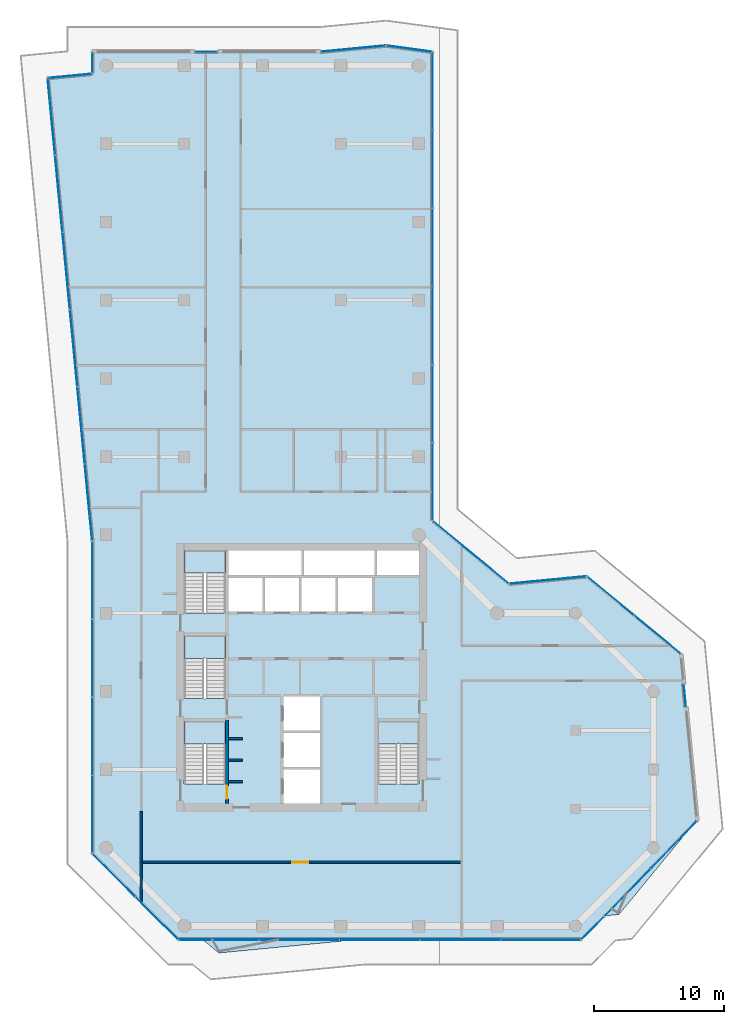
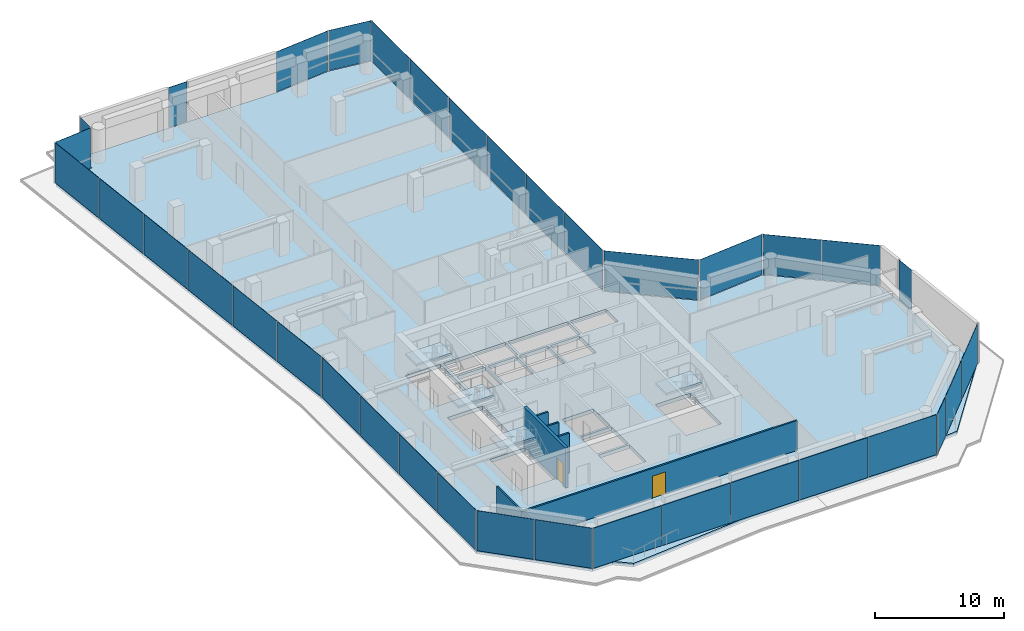
# One storey, part 17 of 22: 36 plates, 7 walls, 5 slabs, 2 doors, 2 openings, 20 elements without a shape of their own.
"""IFC4 building model written with IfcOpenShell, lengths in metres."""

from ifc_helpers import new_model, si_unit, direction, frame, frame_2d, origin, origin_2d, place, context, subcontext, project, spatial, polyline, rectangle, outline, extrude, material, layer, layer_set, type_object, element, fill, aggregate, save


model = new_model("IFC4")

# Units and contexts
model_context = context("Model", 3, precision=1e-05, world=origin(), true_north=direction((0.0, 1.0)))
body_context = subcontext(model_context, "Body", "Model", "MODEL_VIEW")
ifc_project = project(units=[si_unit("LENGTHUNIT", "METRE"), si_unit("AREAUNIT", "SQUARE_METRE"), si_unit("VOLUMEUNIT", "CUBIC_METRE"), si_unit("PLANEANGLEUNIT", "RADIAN"), si_unit("MASSUNIT", "GRAM", prefix="KILO")], contexts=[model_context])

# Site, building, storey
site_placement = place(None, origin())
site = spatial("IfcSite", under=ifc_project, at=site_placement, CompositionType="ELEMENT")
building_placement = place(site_placement, origin())
building = spatial("IfcBuilding", under=site, at=building_placement, Name="Welwitschia Terrace Campus", CompositionType="ELEMENT")
storey_placement = place(building_placement, frame((0.0, 0.0, 192.800048828125)))
storey = spatial("IfcBuildingStorey", under=building, at=storey_placement, Name="L43", CompositionType="ELEMENT", Elevation=192.800048828125)

# Curtain wall, plates
ifc_material_1 = material(Name="Bronze anodised aluminium", Category="aluminium")
ifc_layer_1 = layer(ifc_material_1, 0.1201171875)
ifc_layer_set_1 = layer_set([ifc_layer_1], Name="Bronze anodised aluminium")
curtain_wall_type = type_object("IfcCurtainWallType", Name="Curtain wall CW2 tower 6000", PredefinedType="NOTDEFINED", material=ifc_layer_set_1)
curtain_wall_1_placement = place(storey_placement, origin())
curtain_wall_1 = element("IfcCurtainWall", 1, at=curtain_wall_1_placement, inside=storey, type_object=curtain_wall_type, Name="CW L43.0.0", PredefinedType="NOTDEFINED")
ifc_material_2 = material(Name="Tinted bronze-grey glass", Category="glass")
ifc_layer_2 = layer(ifc_material_2, 0.028076171875)
ifc_layer_set_2 = layer_set([ifc_layer_2], Name="Tinted bronze-grey glass")
plate_type_1 = type_object("IfcPlateType", Name="Glass panel 28 tinted", PredefinedType="CURTAIN_PANEL", material=ifc_layer_set_2)
plate_1_placement = place(storey_placement, frame((-4.191650390625, 58.0673828125, 0.0), z_axis=(0.0, 0.0, 1.0), x_axis=(0.09584575252, -0.995396198367, 0.0)))
plate_1 = element("IfcPlate", 2, at=plate_1_placement, type_object=plate_type_1, Name="Panel L43.0.0.0", PredefinedType="CURTAIN_PANEL", context=body_context, shape_type="SweptSolid", body=[
    extrude(rectangle(XDim=5.857177734375, YDim=0.028076171875, at=origin_2d()), origin(), (0.0, 0.0, 1.0), 3.800048828125),
])
plate_2_placement = place(storey_placement, frame((-3.623046875, 52.16259765625, 0.0), z_axis=(0.0, 0.0, 1.0), x_axis=(0.09584575252, -0.995396198367, 0.0)))
plate_2 = element("IfcPlate", 3, at=plate_2_placement, type_object=plate_type_1, Name="Panel L43.0.0.1", PredefinedType="CURTAIN_PANEL", context=body_context, shape_type="SweptSolid", body=[
    extrude(rectangle(XDim=5.88720703125, YDim=0.028076171875, at=origin_2d()), origin(), (0.0, 0.0, 1.0), 3.800048828125),
])
plate_3_placement = place(storey_placement, frame((-3.052978515625, 46.242919921875, 0.0), z_axis=(0.0, 0.0, 1.0), x_axis=(0.09584575252, -0.995396198367, 0.0)))
plate_3 = element("IfcPlate", 4, at=plate_3_placement, type_object=plate_type_1, Name="Panel L43.0.0.2", PredefinedType="CURTAIN_PANEL", context=body_context, shape_type="SweptSolid", body=[
    extrude(rectangle(XDim=5.88720703125, YDim=0.028076171875, at=origin_2d()), origin(), (0.0, 0.0, 1.0), 3.800048828125),
])
plate_4_placement = place(storey_placement, frame((-2.48291015625, 40.322998046875, 0.0), z_axis=(0.0, 0.0, 1.0), x_axis=(0.09584575252, -0.995396198367, 0.0)))
plate_4 = element("IfcPlate", 5, at=plate_4_placement, type_object=plate_type_1, Name="Panel L43.0.0.3", PredefinedType="CURTAIN_PANEL", context=body_context, shape_type="SweptSolid", body=[
    extrude(rectangle(XDim=5.88720703125, YDim=0.028076171875, at=origin_2d()), origin(), (0.0, 0.0, 1.0), 3.800048828125),
])
plate_5_placement = place(storey_placement, frame((-1.9130859375, 34.4033203125, 0.0), z_axis=(0.0, 0.0, 1.0), x_axis=(0.09584575252, -0.995396198367, 0.0)))
plate_5 = element("IfcPlate", 6, at=plate_5_placement, type_object=plate_type_1, Name="Panel L43.0.0.4", PredefinedType="CURTAIN_PANEL", context=body_context, shape_type="SweptSolid", body=[
    extrude(rectangle(XDim=5.88720703125, YDim=0.028076171875, at=origin_2d()), origin(), (0.0, 0.0, 1.0), 3.800048828125),
])
plate_6_placement = place(storey_placement, frame((-1.344482421875, 28.498291015625, 0.0), z_axis=(0.0, 0.0, 1.0), x_axis=(0.09584575252, -0.995396198367, 0.0)))
plate_6 = element("IfcPlate", 7, at=plate_6_placement, type_object=plate_type_1, Name="Panel L43.0.0.5", PredefinedType="CURTAIN_PANEL", context=body_context, shape_type="SweptSolid", body=[
    extrude(rectangle(XDim=5.857177734375, YDim=0.028076171875, at=origin_2d()), origin(), (0.0, 0.0, 1.0), 3.800048828125),
])
aggregate(curtain_wall_1, [plate_1, plate_2, plate_3, plate_4, plate_5, plate_6])

curtain_wall_2_placement = place(storey_placement, origin())
curtain_wall_2 = element("IfcCurtainWall", 8, at=curtain_wall_2_placement, inside=storey, type_object=curtain_wall_type, Name="CW L43.1.0", PredefinedType="NOTDEFINED")
plate_7_placement = place(storey_placement, frame((-1.05810546875, 22.51318359375, 0.0), z_axis=(0.0, 0.0, 1.0), x_axis=(0.0, -1.0, 0.0)))
plate_7 = element("IfcPlate", 9, at=plate_7_placement, type_object=plate_type_1, Name="Panel L43.1.0.0", PredefinedType="CURTAIN_PANEL", context=body_context, shape_type="SweptSolid", body=[
    extrude(rectangle(XDim=5.900390625, YDim=0.028076171875, at=origin_2d()), origin(), (0.0, 0.0, 1.0), 3.800048828125),
])
plate_8_placement = place(storey_placement, frame((-1.05810546875, 16.537841796875, 0.0), z_axis=(0.0, 0.0, 1.0), x_axis=(0.0, -1.0, 0.0)))
plate_8 = element("IfcPlate", 10, at=plate_8_placement, type_object=plate_type_1, Name="Panel L43.1.0.1", PredefinedType="CURTAIN_PANEL", context=body_context, shape_type="SweptSolid", body=[
    extrude(rectangle(XDim=5.930419921875, YDim=0.028076171875, at=origin_2d()), origin(), (0.0, 0.0, 1.0), 3.800048828125),
])
plate_9_placement = place(storey_placement, frame((-1.05810546875, 10.54736328125, 0.0), z_axis=(0.0, 0.0, 1.0), x_axis=(0.0, -1.0, 0.0)))
plate_9 = element("IfcPlate", 11, at=plate_9_placement, type_object=plate_type_1, Name="Panel L43.1.0.2", PredefinedType="CURTAIN_PANEL", context=body_context, shape_type="SweptSolid", body=[
    extrude(rectangle(XDim=5.930419921875, YDim=0.028076171875, at=origin_2d()), origin(), (0.0, 0.0, 1.0), 3.800048828125),
])
plate_10_placement = place(storey_placement, frame((-1.05810546875, 4.572021484375, 0.0), z_axis=(0.0, 0.0, 1.0), x_axis=(0.0, -1.0, 0.0)))
plate_10 = element("IfcPlate", 12, at=plate_10_placement, type_object=plate_type_1, Name="Panel L43.1.0.3", PredefinedType="CURTAIN_PANEL", context=body_context, shape_type="SweptSolid", body=[
    extrude(rectangle(XDim=5.900390625, YDim=0.028076171875, at=origin_2d()), origin(), (0.0, 0.0, 1.0), 3.800048828125),
])
aggregate(curtain_wall_2, [plate_7, plate_8, plate_9, plate_10])

curtain_wall_3_placement = place(storey_placement, origin())
curtain_wall_3 = element("IfcCurtainWall", 13, at=curtain_wall_3_placement, inside=storey, type_object=curtain_wall_type, Name="CW L43.2.0", PredefinedType="NOTDEFINED")
plate_11_placement = place(storey_placement, frame((0.607666015625, -0.103759765625, 0.0), z_axis=(0.0, 0.0, 1.0), x_axis=(0.707106781187, -0.707106781187, 0.0)))
plate_11 = element("IfcPlate", 14, at=plate_11_placement, type_object=plate_type_1, Name="Panel L43.2.0.0", PredefinedType="CURTAIN_PANEL", context=body_context, shape_type="SweptSolid", body=[
    extrude(rectangle(XDim=4.5908203125, YDim=0.028076171875, at=origin_2d()), origin(), (0.0, 0.0, 1.0), 3.800048828125),
])
plate_12_placement = place(storey_placement, frame((3.896240234375, -3.392333984375, 0.0), z_axis=(0.0, 0.0, 1.0), x_axis=(0.707106781187, -0.707106781187, 0.0)))
plate_12 = element("IfcPlate", 15, at=plate_12_placement, type_object=plate_type_1, Name="Panel L43.2.0.1", PredefinedType="CURTAIN_PANEL", context=body_context, shape_type="SweptSolid", body=[
    extrude(rectangle(XDim=4.5908203125, YDim=0.028076171875, at=origin_2d()), origin(), (0.0, 0.0, 1.0), 3.800048828125),
])
aggregate(curtain_wall_3, [plate_11, plate_12])

# Curtain wall, plate
curtain_wall_4_placement = place(storey_placement, origin())
curtain_wall_4 = element("IfcCurtainWall", 16, at=curtain_wall_4_placement, inside=storey, type_object=curtain_wall_type, Name="CW L43.3.0", PredefinedType="NOTDEFINED")
plate_13_placement = place(storey_placement, frame((33.335693359375, -5.05810546875, 0.0), z_axis=(0.0, 0.0, 1.0), x_axis=(1.0, 0.0, 0.0)))
plate_13 = element("IfcPlate", 17, at=plate_13_placement, type_object=plate_type_1, Name="Panel L43.3.0.4", PredefinedType="CURTAIN_PANEL", context=body_context, shape_type="SweptSolid", body=[
    extrude(rectangle(XDim=6.085205078125, YDim=0.028076171875, at=origin_2d()), origin(), (0.0, 0.0, 1.0), 3.800048828125),
])

curtain_wall_5_placement = place(storey_placement, origin())
curtain_wall_5 = element("IfcCurtainWall", 18, at=curtain_wall_5_placement, inside=storey, type_object=curtain_wall_type, Name="CW L43.4.0", PredefinedType="NOTDEFINED")
plate_14_placement = place(storey_placement, frame((37.328369140625, -4.167724609375, 0.0), z_axis=(0.0, 0.0, 1.0), x_axis=(0.707106781187, 0.707106781187, 0.0)))
plate_14 = element("IfcPlate", 19, at=plate_14_placement, type_object=plate_type_1, Name="Panel L43.4.0.0", PredefinedType="CURTAIN_PANEL", context=body_context, shape_type="SweptSolid", body=[
    extrude(rectangle(XDim=2.39794921875, YDim=0.028076171875, at=origin_2d()), origin(), (0.0, 0.0, 1.0), 3.800048828125),
])
aggregate(curtain_wall_5, [plate_14])

# Curtain wall, plates
curtain_wall_6_placement = place(storey_placement, origin())
curtain_wall_6 = element("IfcCurtainWall", 20, at=curtain_wall_6_placement, inside=storey, type_object=curtain_wall_type, Name="CW L43.5.0", PredefinedType="NOTDEFINED")
plate_15_placement = place(storey_placement, frame((40.0068359375, -1.432861328125, 0.0), z_axis=(0.0, 0.0, 1.0), x_axis=(0.696019343562, 0.718023031238, 0.0)))
plate_15 = element("IfcPlate", 21, at=plate_15_placement, type_object=plate_type_1, Name="Panel L43.5.0.0", PredefinedType="CURTAIN_PANEL", context=body_context, shape_type="SweptSolid", body=[
    extrude(rectangle(XDim=5.017822265625, YDim=0.028076171875, at=origin_2d()), origin(), (0.0, 0.0, 1.0), 3.800048828125),
])
plate_16_placement = place(storey_placement, frame((43.541015625, 2.212890625, 0.0), z_axis=(0.0, 0.0, 1.0), x_axis=(0.696019343562, 0.718023031238, 0.0)))
plate_16 = element("IfcPlate", 22, at=plate_16_placement, type_object=plate_type_1, Name="Panel L43.5.0.1", PredefinedType="CURTAIN_PANEL", context=body_context, shape_type="SweptSolid", body=[
    extrude(rectangle(XDim=5.017822265625, YDim=0.028076171875, at=origin_2d()), origin(), (0.0, 0.0, 1.0), 3.800048828125),
])
aggregate(curtain_wall_6, [plate_15, plate_16])

# Curtain wall, plate
curtain_wall_7_placement = place(storey_placement, origin())
curtain_wall_7 = element("IfcCurtainWall", 23, at=curtain_wall_7_placement, inside=storey, type_object=curtain_wall_type, Name="CW L43.6.S0", PredefinedType="NOTDEFINED")
plate_17_placement = place(storey_placement, frame((44.4033203125, 13.67041015625, 0.0), z_axis=(0.0, 0.0, 1.0), x_axis=(-0.09584575252, 0.995396198367, 0.0)))
plate_17 = element("IfcPlate", 24, at=plate_17_placement, type_object=plate_type_1, Name="Panel L43.6.S0.0", PredefinedType="CURTAIN_PANEL", context=body_context, shape_type="SweptSolid", body=[
    extrude(rectangle(XDim=1.679931640625, YDim=0.028076171875, at=origin_2d()), origin(), (0.0, 0.0, 1.0), 3.800048828125),
])
aggregate(curtain_wall_7, [plate_17])

# Curtain wall, plates
curtain_wall_8_placement = place(storey_placement, origin())
curtain_wall_8 = element("IfcCurtainWall", 25, at=curtain_wall_8_placement, inside=storey, type_object=curtain_wall_type, Name="CW L43.7.0", PredefinedType="NOTDEFINED")
plate_18_placement = place(storey_placement, frame((42.27734375, 18.373046875, 0.0), z_axis=(0.0, 0.0, 1.0), x_axis=(-0.771624583388, 0.636078220278, 0.0)))
plate_18 = element("IfcPlate", 26, at=plate_18_placement, type_object=plate_type_1, Name="Panel L43.7.0.0", PredefinedType="CURTAIN_PANEL", context=body_context, shape_type="SweptSolid", body=[
    extrude(rectangle(XDim=4.5908203125, YDim=0.028076171875, at=origin_2d()), origin(), (0.0, 0.0, 1.0), 3.800048828125),
])
plate_19_placement = place(storey_placement, frame((38.6884765625, 21.331298828125, 0.0), z_axis=(0.0, 0.0, 1.0), x_axis=(-0.771624583388, 0.636078220278, 0.0)))
plate_19 = element("IfcPlate", 27, at=plate_19_placement, type_object=plate_type_1, Name="Panel L43.7.0.1", PredefinedType="CURTAIN_PANEL", context=body_context, shape_type="SweptSolid", body=[
    extrude(rectangle(XDim=4.5908203125, YDim=0.028076171875, at=origin_2d()), origin(), (0.0, 0.0, 1.0), 3.800048828125),
])
aggregate(curtain_wall_8, [plate_18, plate_19])

# Curtain wall, plate
curtain_wall_9_placement = place(storey_placement, origin())
curtain_wall_9 = element("IfcCurtainWall", 28, at=curtain_wall_9_placement, inside=storey, type_object=curtain_wall_type, Name="CW L43.8.0", PredefinedType="NOTDEFINED")
plate_20_placement = place(storey_placement, frame((33.884765625, 22.5419921875, 0.0), z_axis=(0.0, 0.0, 1.0), x_axis=(-0.995396198367, -0.09584575252, 0.0)))
plate_20 = element("IfcPlate", 29, at=plate_20_placement, type_object=plate_type_1, Name="Panel L43.8.0.0", PredefinedType="CURTAIN_PANEL", context=body_context, shape_type="SweptSolid", body=[
    extrude(rectangle(XDim=5.8798828125, YDim=0.028076171875, at=origin_2d()), origin(), (0.0, 0.0, 1.0), 3.800048828125),
])
aggregate(curtain_wall_9, [plate_20])

curtain_wall_10_placement = place(storey_placement, origin())
curtain_wall_10 = element("IfcCurtainWall", 30, at=curtain_wall_10_placement, inside=storey, type_object=curtain_wall_type, Name="CW L43.9.0", PredefinedType="NOTDEFINED")
plate_21_placement = place(storey_placement, frame((27.978271484375, 24.661865234375, 0.0), z_axis=(0.0, 0.0, 1.0), x_axis=(-0.771624583388, 0.636078220278, 0.0)))
plate_21 = element("IfcPlate", 31, at=plate_21_placement, type_object=plate_type_1, Name="Panel L43.9.0.0", PredefinedType="CURTAIN_PANEL", context=body_context, shape_type="SweptSolid", body=[
    extrude(rectangle(XDim=7.44921875, YDim=0.028076171875, at=origin_2d()), origin(), (0.0, 0.0, 1.0), 3.800048828125),
])
aggregate(curtain_wall_10, [plate_21])

# Curtain wall, plates
curtain_wall_11_placement = place(storey_placement, origin())
curtain_wall_11 = element("IfcCurtainWall", 32, at=curtain_wall_11_placement, inside=storey, type_object=curtain_wall_type, Name="CW L43.10.0", PredefinedType="NOTDEFINED")
plate_22_placement = place(storey_placement, frame((25.05810546875, 30.08251953125, 0.0), z_axis=(0.0, 0.0, 1.0), x_axis=(0.0, 1.0, 0.0)))
plate_22 = element("IfcPlate", 33, at=plate_22_placement, type_object=plate_type_1, Name="Panel L43.10.0.0", PredefinedType="CURTAIN_PANEL", context=body_context, shape_type="SweptSolid", body=[
    extrude(rectangle(XDim=5.906982421875, YDim=0.028076171875, at=origin_2d()), origin(), (0.0, 0.0, 1.0), 3.800048828125),
])
plate_23_placement = place(storey_placement, frame((25.05810546875, 36.064453125, 0.0), z_axis=(0.0, 0.0, 1.0), x_axis=(0.0, 1.0, 0.0)))
plate_23 = element("IfcPlate", 34, at=plate_23_placement, type_object=plate_type_1, Name="Panel L43.10.0.1", PredefinedType="CURTAIN_PANEL", context=body_context, shape_type="SweptSolid", body=[
    extrude(rectangle(XDim=5.93701171875, YDim=0.028076171875, at=origin_2d()), origin(), (0.0, 0.0, 1.0), 3.800048828125),
])
plate_24_placement = place(storey_placement, frame((25.05810546875, 42.0615234375, 0.0), z_axis=(0.0, 0.0, 1.0), x_axis=(0.0, 1.0, 0.0)))
plate_24 = element("IfcPlate", 35, at=plate_24_placement, type_object=plate_type_1, Name="Panel L43.10.0.2", PredefinedType="CURTAIN_PANEL", context=body_context, shape_type="SweptSolid", body=[
    extrude(rectangle(XDim=5.93701171875, YDim=0.028076171875, at=origin_2d()), origin(), (0.0, 0.0, 1.0), 3.800048828125),
])
plate_25_placement = place(storey_placement, frame((25.05810546875, 48.058349609375, 0.0), z_axis=(0.0, 0.0, 1.0), x_axis=(0.0, 1.0, 0.0)))
plate_25 = element("IfcPlate", 36, at=plate_25_placement, type_object=plate_type_1, Name="Panel L43.10.0.3", PredefinedType="CURTAIN_PANEL", context=body_context, shape_type="SweptSolid", body=[
    extrude(rectangle(XDim=5.93701171875, YDim=0.028076171875, at=origin_2d()), origin(), (0.0, 0.0, 1.0), 3.800048828125),
])
plate_26_placement = place(storey_placement, frame((25.05810546875, 54.05517578125, 0.0), z_axis=(0.0, 0.0, 1.0), x_axis=(0.0, 1.0, 0.0)))
plate_26 = element("IfcPlate", 37, at=plate_26_placement, type_object=plate_type_1, Name="Panel L43.10.0.4", PredefinedType="CURTAIN_PANEL", context=body_context, shape_type="SweptSolid", body=[
    extrude(rectangle(XDim=5.93701171875, YDim=0.028076171875, at=origin_2d()), origin(), (0.0, 0.0, 1.0), 3.800048828125),
])
plate_27_placement = place(storey_placement, frame((25.05810546875, 60.037109375, 0.0), z_axis=(0.0, 0.0, 1.0), x_axis=(0.0, 1.0, 0.0)))
plate_27 = element("IfcPlate", 38, at=plate_27_placement, type_object=plate_type_1, Name="Panel L43.10.0.5", PredefinedType="CURTAIN_PANEL", context=body_context, shape_type="SweptSolid", body=[
    extrude(rectangle(XDim=5.906982421875, YDim=0.028076171875, at=origin_2d()), origin(), (0.0, 0.0, 1.0), 3.800048828125),
])
aggregate(curtain_wall_11, [plate_22, plate_23, plate_24, plate_25, plate_26, plate_27])

# Curtain wall, plate
curtain_wall_12_placement = place(storey_placement, origin())
curtain_wall_12 = element("IfcCurtainWall", 39, at=curtain_wall_12_placement, inside=storey, type_object=curtain_wall_type, Name="CW L43.11.0", PredefinedType="NOTDEFINED")
plate_28_placement = place(storey_placement, frame((23.262451171875, 63.295654296875, 0.0), z_axis=(0.0, 0.0, 1.0), x_axis=(-0.990824442775, 0.135155183395, 0.0)))
plate_28 = element("IfcPlate", 40, at=plate_28_placement, type_object=plate_type_1, Name="Panel L43.11.0.0", PredefinedType="CURTAIN_PANEL", context=body_context, shape_type="SweptSolid", body=[
    extrude(rectangle(XDim=3.504638671875, YDim=0.028076171875, at=origin_2d()), origin(), (0.0, 0.0, 1.0), 3.800048828125),
])
aggregate(curtain_wall_12, [plate_28])

curtain_wall_13_placement = place(storey_placement, origin())
curtain_wall_13 = element("IfcCurtainWall", 41, at=curtain_wall_13_placement, inside=storey, type_object=curtain_wall_type, Name="CW L43.12.0", PredefinedType="NOTDEFINED")
plate_29_placement = place(storey_placement, frame((18.961181640625, 63.29931640625, 0.0), z_axis=(0.0, 0.0, 1.0), x_axis=(-0.995396198367, -0.09584575252, 0.0)))
plate_29 = element("IfcPlate", 42, at=plate_29_placement, type_object=plate_type_1, Name="Panel L43.12.0.0", PredefinedType="CURTAIN_PANEL", context=body_context, shape_type="SweptSolid", body=[
    extrude(rectangle(XDim=4.914306640625, YDim=0.028076171875, at=origin_2d()), origin(), (0.0, 0.0, 1.0), 3.800048828125),
])
aggregate(curtain_wall_13, [plate_29])

curtain_wall_14_placement = place(storey_placement, origin())
curtain_wall_14 = element("IfcCurtainWall", 43, at=curtain_wall_14_placement, inside=storey, type_object=curtain_wall_type, Name="CW L43.13.S0", PredefinedType="NOTDEFINED")
plate_30_placement = place(storey_placement, frame((7.69873046875, 63.05810546875, 0.0), z_axis=(0.0, 0.0, 1.0), x_axis=(-1.0, 0.0, 0.0)))
plate_30 = element("IfcPlate", 44, at=plate_30_placement, type_object=plate_type_1, Name="Panel L43.13.S0.0", PredefinedType="CURTAIN_PANEL", context=body_context, shape_type="SweptSolid", body=[
    extrude(rectangle(XDim=1.679931640625, YDim=0.028076171875, at=origin_2d()), origin(), (0.0, 0.0, 1.0), 3.800048828125),
])
aggregate(curtain_wall_14, [plate_30])

curtain_wall_15_placement = place(storey_placement, origin())
curtain_wall_15 = element("IfcCurtainWall", 45, at=curtain_wall_15_placement, inside=storey, type_object=curtain_wall_type, Name="CW L43.14.0", PredefinedType="NOTDEFINED")
plate_31_placement = place(storey_placement, frame((-1.05810546875, 62.21484375, 0.0), z_axis=(0.0, 0.0, 1.0), x_axis=(0.0, -1.0, 0.0)))
plate_31 = element("IfcPlate", 46, at=plate_31_placement, type_object=plate_type_1, Name="Panel L43.14.0.0", PredefinedType="CURTAIN_PANEL", context=body_context, shape_type="SweptSolid", body=[
    extrude(rectangle(XDim=1.56640625, YDim=0.028076171875, at=origin_2d()), origin(), (0.0, 0.0, 1.0), 3.800048828125),
])
aggregate(curtain_wall_15, [plate_31])

curtain_wall_16_placement = place(storey_placement, origin())
curtain_wall_16 = element("IfcCurtainWall", 47, at=curtain_wall_16_placement, inside=storey, type_object=curtain_wall_type, Name="CW L43.15.0", PredefinedType="NOTDEFINED")
plate_32_placement = place(storey_placement, frame((-2.76806640625, 61.20703125, 0.0), z_axis=(0.0, 0.0, 1.0), x_axis=(-0.995396198367, -0.09584575252, 0.0)))
plate_32 = element("IfcPlate", 48, at=plate_32_placement, type_object=plate_type_1, Name="Panel L43.15.0.0", PredefinedType="CURTAIN_PANEL", context=body_context, shape_type="SweptSolid", body=[
    extrude(rectangle(XDim=3.31591796875, YDim=0.028076171875, at=origin_2d()), origin(), (0.0, 0.0, 1.0), 3.800048828125),
])
aggregate(curtain_wall_16, [plate_32])

# Plate
ifc_material_3 = material(Name="Bronze anodised insulated metal panel")
ifc_layer_3 = layer(ifc_material_3, 0.06005859375)
ifc_layer_set_3 = layer_set([ifc_layer_3], Name="Bronze anodised insulated metal panel")
plate_type_2 = type_object("IfcPlateType", Name="Insulated metal panel 60", PredefinedType="CURTAIN_PANEL", material=ifc_layer_set_3)
plate_33_placement = place(storey_placement, frame((8.664306640625, -5.05810546875, 0.0), z_axis=(0.0, 0.0, 1.0), x_axis=(1.0, 0.0, 0.0)))
plate_33 = element("IfcPlate", 49, at=plate_33_placement, type_object=plate_type_2, Name="Panel L43.3.0.0", PredefinedType="CURTAIN_PANEL", context=body_context, shape_type="SweptSolid", body=[
    extrude(rectangle(XDim=6.085205078125, YDim=0.06005859375, at=origin_2d()), origin(), (0.0, 0.0, 1.0), 3.800048828125),
])

plate_34_placement = place(storey_placement, frame((14.82470703125, -5.05810546875, 0.0), z_axis=(0.0, 0.0, 1.0), x_axis=(1.0, 0.0, 0.0)))
plate_34 = element("IfcPlate", 50, at=plate_34_placement, type_object=plate_type_2, Name="Panel L43.3.0.1", PredefinedType="CURTAIN_PANEL", context=body_context, shape_type="SweptSolid", body=[
    extrude(rectangle(XDim=6.115234375, YDim=0.06005859375, at=origin_2d()), origin(), (0.0, 0.0, 1.0), 3.800048828125),
])

plate_35_placement = place(storey_placement, frame((21.0, -5.05810546875, 0.0), z_axis=(0.0, 0.0, 1.0), x_axis=(1.0, 0.0, 0.0)))
plate_35 = element("IfcPlate", 51, at=plate_35_placement, type_object=plate_type_2, Name="Panel L43.3.0.2", PredefinedType="CURTAIN_PANEL", context=body_context, shape_type="SweptSolid", body=[
    extrude(rectangle(XDim=6.115234375, YDim=0.06005859375, at=origin_2d()), origin(), (0.0, 0.0, 1.0), 3.800048828125),
])

plate_36_placement = place(storey_placement, frame((27.17529296875, -5.05810546875, 0.0), z_axis=(0.0, 0.0, 1.0), x_axis=(1.0, 0.0, 0.0)))
plate_36 = element("IfcPlate", 52, at=plate_36_placement, type_object=plate_type_2, Name="Panel L43.3.0.3", PredefinedType="CURTAIN_PANEL", context=body_context, shape_type="SweptSolid", body=[
    extrude(rectangle(XDim=6.115234375, YDim=0.06005859375, at=origin_2d()), origin(), (0.0, 0.0, 1.0), 3.800048828125),
])

aggregate(curtain_wall_4, [plate_33, plate_34, plate_35, plate_36, plate_13])

# Stair, slab
ifc_material_4 = material(Name="Concrete C40/50", Category="concrete")
stair_type = type_object("IfcStairType", Name="Stair 24R 175 W1500", PredefinedType="HALF_TURN_STAIR", material=ifc_material_4)
stair_1_placement = place(storey_placement, origin())
stair_1 = element("IfcStair", 53, at=stair_1_placement, inside=storey, type_object=stair_type, Name="L43 Exit stair S1", PredefinedType="HALF_TURN_STAIR")
ifc_material_5 = material(Name="Concrete C40/50", Category="concrete")
ifc_layer_4 = layer(ifc_material_5, 0.199951171875)
ifc_layer_set_4 = layer_set([ifc_layer_4], Name="Concrete C40/50")
slab_type_1 = type_object("IfcSlabType", Name="Stair landing RC", PredefinedType="LANDING", material=ifc_layer_set_4)
slab_1_placement = place(storey_placement, frame((0.0, 0.0, 1.89990234375)))
slab_1 = element("IfcSlab", 54, at=slab_1_placement, type_object=slab_type_1, Name="S1 landing 1", PredefinedType="LANDING", context=body_context, shape_type="SweptSolid", body=[
    extrude(outline(polyline([(9.14990234375, 9.97998046875), (9.14990234375, 11.699951171875), (6.0, 11.699951171875), (6.0, 9.97998046875), (9.14990234375, 9.97998046875)])), origin(), (0.0, 0.0, 1.0), 0.199951171875),
])
aggregate(stair_1, [slab_1])

stair_2_placement = place(storey_placement, origin())
stair_2 = element("IfcStair", 55, at=stair_2_placement, inside=storey, type_object=stair_type, Name="L43 Exit stair S3", PredefinedType="HALF_TURN_STAIR")
slab_2_placement = place(storey_placement, frame((0.0, 0.0, 1.89990234375)))
slab_2 = element("IfcSlab", 56, at=slab_2_placement, type_object=slab_type_1, Name="S3 landing 1", PredefinedType="LANDING", context=body_context, shape_type="SweptSolid", body=[
    extrude(outline(polyline([(9.14990234375, 16.530029296875), (9.14990234375, 18.25), (6.0, 18.25), (6.0, 16.530029296875), (9.14990234375, 16.530029296875)])), origin(), (0.0, 0.0, 1.0), 0.199951171875),
])
aggregate(stair_2, [slab_2])

stair_3_placement = place(storey_placement, origin())
stair_3 = element("IfcStair", 57, at=stair_3_placement, inside=storey, type_object=stair_type, Name="L43 Exit stair S4", PredefinedType="HALF_TURN_STAIR")
slab_3_placement = place(storey_placement, frame((0.0, 0.0, 1.89990234375)))
slab_3 = element("IfcSlab", 58, at=slab_3_placement, type_object=slab_type_1, Name="S4 landing 1", PredefinedType="LANDING", context=body_context, shape_type="SweptSolid", body=[
    extrude(outline(polyline([(9.14990234375, 23.080078125), (9.14990234375, 24.800048828125), (6.0, 24.800048828125), (6.0, 23.080078125), (9.14990234375, 23.080078125)])), origin(), (0.0, 0.0, 1.0), 0.199951171875),
])
aggregate(stair_3, [slab_3])

stair_4_placement = place(storey_placement, origin())
stair_4 = element("IfcStair", 59, at=stair_4_placement, inside=storey, type_object=stair_type, Name="L43 Exit stair S2", PredefinedType="HALF_TURN_STAIR")
slab_4_placement = place(storey_placement, frame((0.0, 0.0, 1.89990234375)))
slab_4 = element("IfcSlab", 60, at=slab_4_placement, type_object=slab_type_1, Name="S2 landing 1", PredefinedType="LANDING", context=body_context, shape_type="SweptSolid", body=[
    extrude(outline(polyline([(24.0, 9.97998046875), (24.0, 11.699951171875), (20.85009765625, 11.699951171875), (20.85009765625, 9.97998046875), (24.0, 9.97998046875)])), origin(), (0.0, 0.0, 1.0), 0.199951171875),
])
aggregate(stair_4, [slab_4])

# Slab
ifc_material_6 = material(Name="Concrete C40/50", Category="concrete")
ifc_layer_5 = layer(ifc_material_6, 0.35009765625)
ifc_layer_set_5 = layer_set([ifc_layer_5], Name="Concrete C40/50")
slab_type_2 = type_object("IfcSlabType", Name="Suspended floor slab 350", PredefinedType="FLOOR", material=ifc_layer_set_5)
slab_5_placement = place(storey_placement, frame((0.0, 0.0, -0.35009765625)))
element("IfcSlab", 61, at=slab_5_placement, inside=storey, type_object=slab_type_2, Name="Floor slab L43", PredefinedType="FLOOR", context=body_context, shape_type="SweptSolid", body=[
    extrude(outline(polyline([(-1.0, 61.31884765625), (-1.0, 63.0), (16.45849609375, 63.0), (21.465576171875, 63.482177734375), (25.0, 63.0), (25.0, 27.041748046875), (30.88037109375, 22.1943359375), (36.852783203125, 22.76953125), (44.039306640625, 16.84521484375), (45.26904296875, 4.075927734375), (39.3447265625, -3.11083984375), (38.1923828125, -3.2216796875), (36.414306640625, -5.0), (19.724609375, -5.0), (8.658203125, -6.065673828125), (7.365478515625, -5.0), (5.585693359375, -5.0), (-1.0, 1.585693359375), (-1.0, 25.5263671875), (-4.414794921875, 60.990234375), (-1.0, 61.31884765625)]), holes=[polyline([(13.60009765625, 8.0), (13.60009765625, 5.39990234375), (16.39990234375, 5.39990234375), (16.39990234375, 8.0), (13.60009765625, 8.0)]), polyline([(9.14990234375, 11.699951171875), (6.0, 11.699951171875), (6.0, 6.902099609375), (9.14990234375, 6.902099609375), (9.14990234375, 11.699951171875)]), polyline([(9.14990234375, 18.25), (6.0, 18.25), (6.0, 13.451904296875), (9.14990234375, 13.451904296875), (9.14990234375, 18.25)]), polyline([(12.0, 22.699951171875), (9.39990234375, 22.699951171875), (9.39990234375, 20.10009765625), (12.0, 20.10009765625), (12.0, 22.699951171875)]), polyline([(14.800048828125, 22.699951171875), (12.199951171875, 22.699951171875), (12.199951171875, 20.10009765625), (14.800048828125, 20.10009765625), (14.800048828125, 22.699951171875)]), polyline([(9.14990234375, 24.800048828125), (6.0, 24.800048828125), (6.0, 20.001953125), (9.14990234375, 20.001953125), (9.14990234375, 24.800048828125)]), polyline([(15.0, 24.800048828125), (9.39990234375, 24.800048828125), (9.39990234375, 22.89990234375), (15.0, 22.89990234375), (15.0, 24.800048828125)]), polyline([(20.85009765625, 11.699951171875), (20.85009765625, 6.902099609375), (24.0, 6.902099609375), (24.0, 11.699951171875), (20.85009765625, 11.699951171875)]), polyline([(16.39990234375, 10.800048828125), (13.60009765625, 10.800048828125), (13.60009765625, 8.199951171875), (16.39990234375, 8.199951171875), (16.39990234375, 10.800048828125)]), polyline([(16.39990234375, 13.60009765625), (13.60009765625, 13.60009765625), (13.60009765625, 11.0), (16.39990234375, 11.0), (16.39990234375, 13.60009765625)]), polyline([(17.60009765625, 22.699951171875), (15.0, 22.699951171875), (15.0, 20.10009765625), (17.60009765625, 20.10009765625), (17.60009765625, 22.699951171875)]), polyline([(20.39990234375, 22.699951171875), (17.800048828125, 22.699951171875), (17.800048828125, 20.10009765625), (20.39990234375, 20.10009765625), (20.39990234375, 22.699951171875)]), polyline([(20.60009765625, 24.800048828125), (15.199951171875, 24.800048828125), (15.199951171875, 22.89990234375), (20.60009765625, 22.89990234375), (20.60009765625, 24.800048828125)]), polyline([(24.0, 24.800048828125), (20.800048828125, 24.800048828125), (20.800048828125, 22.89990234375), (24.0, 22.89990234375), (24.0, 24.800048828125)])]), origin(), (0.0, 0.0, 1.0), 0.35009765625),
])

# Walls
ifc_material_7 = material(Name="Concrete C50/60", Category="concrete")
ifc_layer_6 = layer(ifc_material_7, 0.14990234375)
ifc_layer_set_6 = layer_set([ifc_layer_6], Name="Concrete C50/60")
wall_type_1 = type_object("IfcWallType", Name="Core wall 150 Concrete C50/60", PredefinedType="SHEAR", material=ifc_layer_set_6)
for number, where, z_axis, x_axis, name in (
    (62, (9.39990234375, 7.074951171875, 0.0), (0.0, 0.0, 1.0), (1.0, 0.0, 0.0), "Core wall"),
    (63, (9.39990234375, 8.72509765625, 0.0), (0.0, 0.0, 1.0), (1.0, 0.0, 0.0), "Core wall"),
    (64, (9.39990234375, 10.375, 0.0), (0.0, 0.0, 1.0), (1.0, 0.0, 0.0), "Core wall"),
):
    element("IfcWall", number, at=place(storey_placement, frame(where, z_axis=z_axis, x_axis=x_axis)), inside=storey, type_object=wall_type_1, Name=name, PredefinedType="SHEAR", context=body_context, shape_type="SweptSolid", body=[
        extrude(rectangle(XDim=1.050048828125, YDim=0.14990234375, at=frame_2d((0.52490234375, 0.0))), origin(), (0.0, 0.0, 1.0), 3.800048828125),
    ])

# Wall, opening, door
ifc_material_8 = material(Name="Concrete C50/60", Category="concrete")
ifc_layer_7 = layer(ifc_material_8, 0.25)
ifc_layer_set_7 = layer_set([ifc_layer_7], Name="Concrete C50/60")
wall_type_2 = type_object("IfcWallType", Name="Core wall 250 Concrete C50/60", PredefinedType="SHEAR", material=ifc_layer_set_7)
wall_1_placement = place(storey_placement, frame((9.27490234375, 11.824951171875, 0.0), z_axis=(0.0, 0.0, 1.0), x_axis=(0.0, -1.0, 0.0)))
wall_1 = element("IfcWall", 65, at=wall_1_placement, inside=storey, type_object=wall_type_2, Name="Core wall", PredefinedType="SHEAR", context=body_context, shape_type="SweptSolid", body=[
    extrude(rectangle(XDim=6.425048828125, YDim=0.25, at=frame_2d((3.21240234375, 0.0))), origin(), (0.0, 0.0, 1.0), 3.800048828125),
])
opening_1_placement = place(wall_1_placement, frame((5.074951171875, 0.0, 0.0)))
opening_1 = element("IfcOpeningElement", 66, at=opening_1_placement, cuts=wall_1, Name="Opening DS10", PredefinedType="OPENING", context=body_context, shape_type="SweptSolid", body=[
    extrude(rectangle(XDim=1.0, YDim=2.10009765625, at=frame_2d((0.5, 1.050048828125))), frame((0.0, 0.135009765625, 0.0), z_axis=(0.0, -1.0, 0.0), x_axis=(1.0, 0.0, 0.0)), (0.0, 0.0, 1.0), 0.27001953125),
])
ifc_material_9 = material(Name="Steel S275", Category="steel")
door_type_1 = type_object("IfcDoorType", Name="Core door DS10", OperationType="SINGLE_SWING_LEFT", PredefinedType="DOOR", material=ifc_material_9)
door_1_placement = place(opening_1_placement, origin())
door_1 = element("IfcDoor", 67, at=door_1_placement, inside=storey, type_object=door_type_1, Name="Door S1-FL", OperationType="SINGLE_SWING_RIGHT", OverallHeight=2.10009765625, OverallWidth=1.0, PredefinedType="DOOR", context=body_context, shape_type="SweptSolid", body=[
    extrude(rectangle(XDim=1.0, YDim=2.10009765625, at=frame_2d((0.5, 1.050048828125))), frame((0.0, 0.02490234375, 0.0), z_axis=(0.0, -1.0, 0.0), x_axis=(1.0, 0.0, 0.0)), (0.0, 0.0, 1.0), 0.050048828125),
])
fill(opening_1, door_1)

# Walls
ifc_material_10 = material(Name="Gypsum board on steel studs", Category="steel")
ifc_layer_8 = layer(ifc_material_10, 0.14990234375)
ifc_layer_set_8 = layer_set([ifc_layer_8], Name="Gypsum board on steel studs")
wall_type_3 = type_object("IfcWallType", Name="Corridor partition 150 EI 30", PredefinedType="PARTITIONING", material=ifc_layer_set_8)
wall_2_placement = place(storey_placement, frame((2.699951171875, -2.1298828125, 0.0), z_axis=(0.0, 0.0, 1.0), x_axis=(0.0, 1.0, 0.0)))
element("IfcWall", 68, at=wall_2_placement, inside=storey, type_object=wall_type_3, Name="Partition", PredefinedType="PARTITIONING", context=body_context, shape_type="SweptSolid", body=[
    extrude(rectangle(XDim=3.02978515625, YDim=0.14990234375, at=frame_2d((1.514892578125, 0.0))), origin(), (0.0, 0.0, 1.0), 2.829833984375),
])
wall_3_placement = place(storey_placement, frame((2.699951171875, 0.89990234375, 0.0), z_axis=(0.0, 0.0, 1.0), x_axis=(0.0, 1.0, 0.0)))
element("IfcWall", 69, at=wall_3_placement, inside=storey, type_object=wall_type_3, Name="Partition", PredefinedType="PARTITIONING", context=body_context, shape_type="SweptSolid", body=[
    extrude(rectangle(XDim=3.900146484375, YDim=0.14990234375, at=frame_2d((1.9501953125, 0.0))), origin(), (0.0, 0.0, 1.0), 2.829833984375),
])

# Wall, opening, door
wall_4_placement = place(storey_placement, frame((27.300048828125, 0.89990234375, 0.0), z_axis=(0.0, 0.0, 1.0), x_axis=(-1.0, 0.0, 0.0)))
wall_4 = element("IfcWall", 70, at=wall_4_placement, inside=storey, type_object=wall_type_3, Name="Partition", PredefinedType="PARTITIONING", context=body_context, shape_type="SweptSolid", body=[
    extrude(rectangle(XDim=24.60009765625, YDim=0.14990234375, at=frame_2d((12.300048828125, 0.0))), origin(), (0.0, 0.0, 1.0), 2.829833984375),
])
opening_2_placement = place(wall_4_placement, frame((11.800048828125, 0.0, 0.0)))
opening_2 = element("IfcOpeningElement", 71, at=opening_2_placement, cuts=wall_4, Name="Opening DI12", PredefinedType="OPENING", context=body_context, shape_type="SweptSolid", body=[
    extrude(rectangle(XDim=1.199951171875, YDim=2.10009765625, at=frame_2d((0.60009765625, 1.050048828125))), frame((0.0, 0.0849609375, 0.0), z_axis=(0.0, -1.0, 0.0), x_axis=(1.0, 0.0, 0.0)), (0.0, 0.0, 1.0), 0.169921875),
])
ifc_material_11 = material(Name="Timber veneered door", Category="wood")
door_type_2 = type_object("IfcDoorType", Name="Interior door DI12", OperationType="NOTDEFINED", PredefinedType="DOOR", material=ifc_material_11)
door_2_placement = place(opening_2_placement, origin())
door_2 = element("IfcDoor", 72, at=door_2_placement, inside=storey, type_object=door_type_2, Name="Door L43 848", OperationType="SINGLE_SWING_LEFT", OverallHeight=2.10009765625, OverallWidth=1.199951171875, PredefinedType="DOOR", context=body_context, shape_type="SweptSolid", body=[
    extrude(rectangle(XDim=1.199951171875, YDim=2.10009765625, at=frame_2d((0.60009765625, 1.050048828125))), frame((0.0, 0.02490234375, 0.0), z_axis=(0.0, -1.0, 0.0), x_axis=(1.0, 0.0, 0.0)), (0.0, 0.0, 1.0), 0.050048828125),
])
fill(opening_2, door_2)

save(model, "model.ifc")
